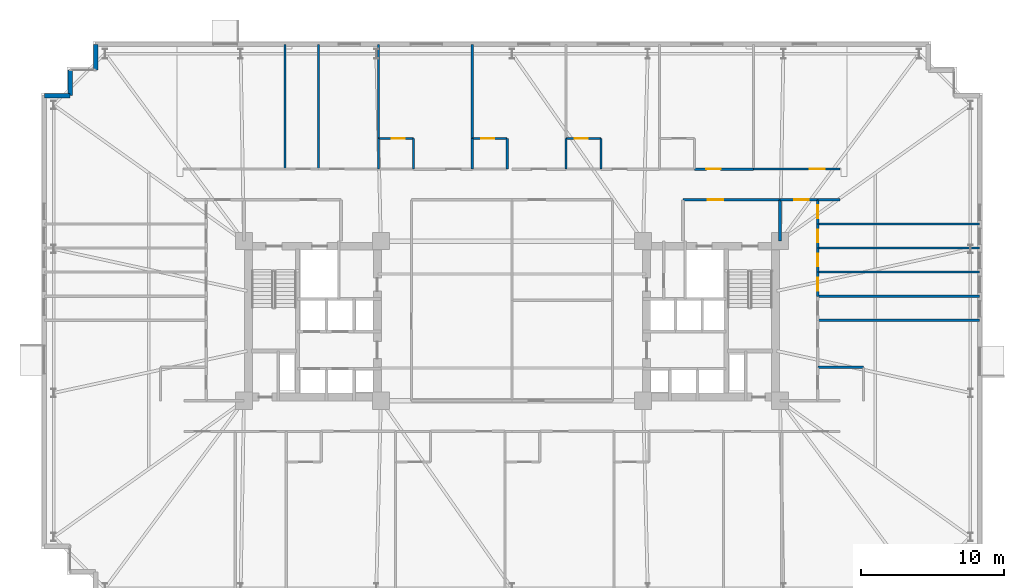
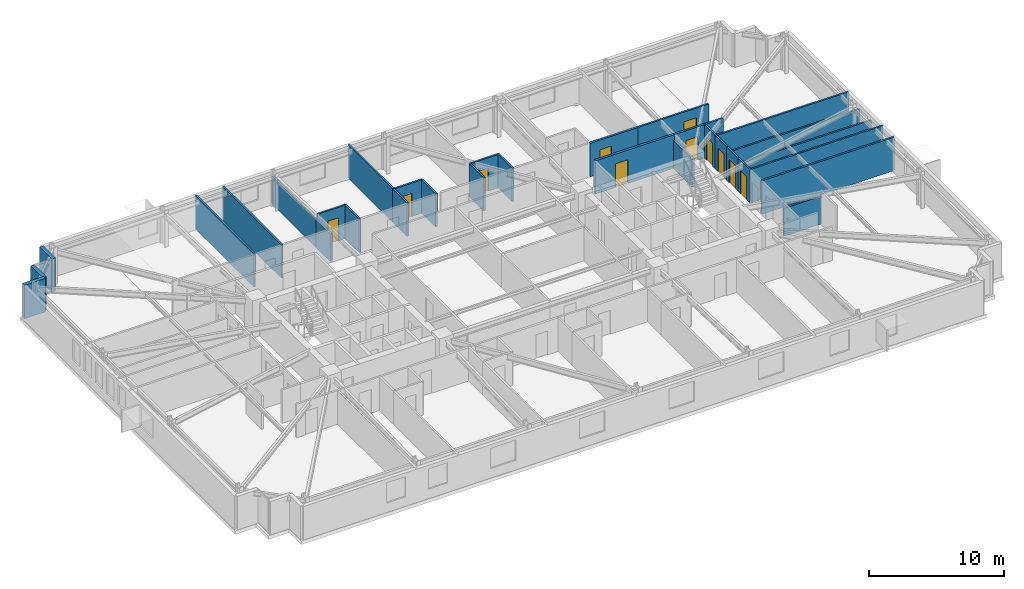
# One storey, part 18 of 22: 32 walls, 11 doors, 11 openings.
"""IFC4 building model written with IfcOpenShell, lengths in metres."""

from ifc_helpers import new_model, si_unit, direction, frame, frame_2d, origin, place, context, subcontext, project, spatial, rectangle, extrude, material, layer, layer_set, type_object, element, fill, save


model = new_model("IFC4")

# Units and contexts
model_context = context("Model", 3, precision=1e-05, world=origin(), true_north=direction((0.0, 1.0)))
body_context = subcontext(model_context, "Body", "Model", "MODEL_VIEW")
ifc_project = project(units=[si_unit("LENGTHUNIT", "METRE"), si_unit("AREAUNIT", "SQUARE_METRE"), si_unit("VOLUMEUNIT", "CUBIC_METRE"), si_unit("PLANEANGLEUNIT", "RADIAN"), si_unit("MASSUNIT", "GRAM", prefix="KILO")], contexts=[model_context])

# Site, building, storey
site_placement = place(None, origin())
site = spatial("IfcSite", under=ifc_project, at=site_placement, CompositionType="ELEMENT")
building_placement = place(site_placement, origin())
building = spatial("IfcBuilding", under=site, at=building_placement, Name="Qobustan Lattice House", CompositionType="ELEMENT")
storey_placement = place(building_placement, frame((0.0, 0.0, 33.699951171875)))
storey = spatial("IfcBuildingStorey", under=building, at=storey_placement, Name="L08", CompositionType="ELEMENT", Elevation=33.699951171875)

# Walls
ifc_material_1 = material(Name="Precast concrete C40/50", Category="concrete")
ifc_layer_1 = layer(ifc_material_1, 0.320068359375)
ifc_layer_set_1 = layer_set([ifc_layer_1], Name="Precast concrete C40/50")
wall_type_1 = type_object("IfcWallType", Name="WAL-EXT-STONE-320", PredefinedType="SOLIDWALL", material=ifc_layer_set_1)
for number, where, z_axis, x_axis, name in (
    (1, (-32.800048828125, 15.800048828125, 0.0), (0.0, 0.0, 1.0), (1.0, 0.0, 0.0), "L08 exterior limestone-clad wall 6"),
    (2, (-31.0, 15.800048828125, 0.0), (0.0, 0.0, 1.0), (0.0, 1.0, 0.0), "L08 exterior limestone-clad wall 7"),
):
    element("IfcWall", number, at=place(storey_placement, frame(where, z_axis=z_axis, x_axis=x_axis)), inside=storey, type_object=wall_type_1, Name=name, PredefinedType="SOLIDWALL", context=body_context, shape_type="SweptSolid", body=[
        extrude(rectangle(XDim=1.800048828125, YDim=0.320068359375, at=frame_2d((0.89990234375, 0.0))), origin(), (0.0, 0.0, 1.0), 3.03515625),
    ])
wall_1_placement = place(storey_placement, frame((-29.199951171875, 17.60009765625, 0.0), z_axis=(0.0, 0.0, 1.0), x_axis=(0.0, 1.0, 0.0)))
element("IfcWall", 3, at=wall_1_placement, inside=storey, type_object=wall_type_1, Name="L08 exterior limestone-clad wall 9", PredefinedType="SOLIDWALL", context=body_context, shape_type="SweptSolid", body=[
    extrude(rectangle(XDim=1.7998046875, YDim=0.320068359375, at=frame_2d((0.89990234375, 0.0))), origin(), (0.0, 0.0, 1.0), 3.03515625),
])

# Wall, opening, door
ifc_material_2 = material(Name="Gypsum fireboard acoustic partition", Category="gypsum")
ifc_layer_2 = layer(ifc_material_2, 0.179931640625)
ifc_layer_set_2 = layer_set([ifc_layer_2], Name="Gypsum fireboard acoustic partition")
wall_type_2 = type_object("IfcWallType", Name="WAL-FIRE-180", PredefinedType="PARTITIONING", material=ifc_layer_set_2)
wall_2_placement = place(storey_placement, frame((21.449951171875, 8.5, 0.0), z_axis=(0.0, 0.0, 1.0), x_axis=(-1.0, 0.0, 0.0)))
wall_2 = element("IfcWall", 4, at=wall_2_placement, inside=storey, type_object=wall_type_2, Name="L08 interior partition 45", PredefinedType="PARTITIONING", context=body_context, shape_type="SweptSolid", body=[
    extrude(rectangle(XDim=2.64990234375, YDim=0.179931640625, at=frame_2d((1.324951171875, 0.0))), origin(), (0.0, 0.0, 1.0), 3.03515625),
])
opening_1_placement = place(wall_2_placement, frame((0.64111328125, 0.0, 0.0)))
opening_1 = element("IfcOpeningElement", 5, at=opening_1_placement, cuts=wall_2, Name="Opening FD-02", PredefinedType="OPENING", context=body_context, shape_type="SweptSolid", body=[
    extrude(rectangle(XDim=1.0, YDim=2.14990234375, at=frame_2d((0.5, 1.074951171875))), frame((0.0, 0.099853515625, 0.0), z_axis=(0.0, -1.0, 0.0), x_axis=(1.0, 0.0, 0.0)), (0.0, 0.0, 1.0), 0.199951171875),
])
ifc_material_3 = material(Name="Persian walnut timber and steel frame door", Category="steel")
door_type_1 = type_object("IfcDoorType", Name="DOR-UNIT-FD-1000x2150", OperationType="NOTDEFINED", PredefinedType="DOOR", material=ifc_material_3)
door_1_placement = place(opening_1_placement, origin())
door_1 = element("IfcDoor", 6, at=door_1_placement, inside=storey, type_object=door_type_1, Name="L08 North-east floor corridor to Residence entrance hall L08E door", OperationType="SINGLE_SWING_LEFT", OverallHeight=2.14990234375, OverallWidth=1.0, PredefinedType="DOOR", context=body_context, shape_type="SweptSolid", body=[
    extrude(rectangle(XDim=1.0, YDim=2.14990234375, at=frame_2d((0.5, 1.074951171875))), frame((0.0, 0.02490234375, 0.0), z_axis=(0.0, -1.0, 0.0), x_axis=(1.0, 0.0, 0.0)), (0.0, 0.0, 1.0), 0.050048828125),
])
fill(opening_1, door_1)

wall_3_placement = place(storey_placement, frame((12.806884765625, 10.64990234375, 0.0), z_axis=(0.0, 0.0, 1.0), x_axis=(1.0, 0.0, 0.0)))
wall_3 = element("IfcWall", 7, at=wall_3_placement, inside=storey, type_object=wall_type_2, Name="L08 interior partition 50", PredefinedType="PARTITIONING", context=body_context, shape_type="SweptSolid", body=[
    extrude(rectangle(XDim=4.1220703125, YDim=0.179931640625, at=frame_2d((2.06103515625, 0.0))), origin(), (0.0, 0.0, 1.0), 3.03515625),
])
opening_2_placement = place(wall_3_placement, frame((0.8251953125, 0.0, 0.0)))
opening_2 = element("IfcOpeningElement", 8, at=opening_2_placement, cuts=wall_3, Name="Opening FD-02", PredefinedType="OPENING", context=body_context, shape_type="SweptSolid", body=[
    extrude(rectangle(XDim=1.0, YDim=2.14990234375, at=frame_2d((0.5, 1.074951171875))), frame((0.0, 0.099853515625, 0.0), z_axis=(0.0, -1.0, 0.0), x_axis=(1.0, 0.0, 0.0)), (0.0, 0.0, 1.0), 0.199951171875),
])
door_2_placement = place(opening_2_placement, origin())
door_2 = element("IfcDoor", 9, at=door_2_placement, inside=storey, type_object=door_type_1, Name="L08 North-east floor corridor to Kitchenette and studio apartment L08-N6 door", OperationType="SINGLE_SWING_RIGHT", OverallHeight=2.14990234375, OverallWidth=1.0, PredefinedType="DOOR", context=body_context, shape_type="SweptSolid", body=[
    extrude(rectangle(XDim=1.0, YDim=2.14990234375, at=frame_2d((0.5, 1.074951171875))), frame((0.0, 0.02490234375, 0.0), z_axis=(0.0, -1.0, 0.0), x_axis=(1.0, 0.0, 0.0)), (0.0, 0.0, 1.0), 0.050048828125),
])
fill(opening_2, door_2)

# Wall
ifc_material_4 = material(Name="Acoustic twin-stud gypsum partition", Category="gypsum")
ifc_layer_3 = layer(ifc_material_4, 0.14990234375)
ifc_layer_set_3 = layer_set([ifc_layer_3], Name="Acoustic twin-stud gypsum partition")
wall_type_3 = type_object("IfcWallType", Name="WAL-PART-150", PredefinedType="PARTITIONING", material=ifc_layer_set_3)
wall_4_placement = place(storey_placement, frame((23.0, 8.5, 0.0), z_axis=(0.0, 0.0, 1.0), x_axis=(-1.0, 0.0, 0.0)))
element("IfcWall", 10, at=wall_4_placement, inside=storey, type_object=wall_type_3, Name="L08 interior partition 46", PredefinedType="PARTITIONING", context=body_context, shape_type="SweptSolid", body=[
    extrude(rectangle(XDim=1.550048828125, YDim=0.14990234375, at=frame_2d((0.77490234375, 0.0))), origin(), (0.0, 0.0, 1.0), 3.03515625),
])

# Wall, opening, door
wall_5_placement = place(storey_placement, frame((16.928955078125, 10.64990234375, 0.0), z_axis=(0.0, 0.0, 1.0), x_axis=(1.0, 0.0, 0.0)))
wall_5 = element("IfcWall", 11, at=wall_5_placement, inside=storey, type_object=wall_type_3, Name="L08 interior partition 52", PredefinedType="PARTITIONING", context=body_context, shape_type="SweptSolid", body=[
    extrude(rectangle(XDim=6.071044921875, YDim=0.14990234375, at=frame_2d((3.03564453125, 0.0))), origin(), (0.0, 0.0, 1.0), 3.03515625),
])
opening_3_placement = place(wall_5_placement, frame((3.95849609375, 0.0, 0.0)))
opening_3 = element("IfcOpeningElement", 12, at=opening_3_placement, cuts=wall_5, Name="Opening ID-02", PredefinedType="OPENING", context=body_context, shape_type="SweptSolid", body=[
    extrude(rectangle(XDim=1.050048828125, YDim=2.14990234375, at=frame_2d((0.52490234375, 1.074951171875))), frame((0.0, 0.0849609375, 0.0), z_axis=(0.0, -1.0, 0.0), x_axis=(1.0, 0.0, 0.0)), (0.0, 0.0, 1.0), 0.169921875),
])
ifc_material_5 = material(Name="Persian walnut timber and steel frame door", Category="steel")
door_type_2 = type_object("IfcDoorType", Name="DOR-STUDY-1050x2150", OperationType="NOTDEFINED", PredefinedType="DOOR", material=ifc_material_5)
door_3_placement = place(opening_3_placement, origin())
door_3 = element("IfcDoor", 13, at=door_3_placement, inside=storey, type_object=door_type_2, Name="L08 North-east floor corridor to Focus study room N7 door", OperationType="SINGLE_SWING_LEFT", OverallHeight=2.14990234375, OverallWidth=1.050048828125, PredefinedType="DOOR", context=body_context, shape_type="SweptSolid", body=[
    extrude(rectangle(XDim=1.050048828125, YDim=2.14990234375, at=frame_2d((0.52490234375, 1.074951171875))), frame((0.0, 0.02490234375, 0.0), z_axis=(0.0, -1.0, 0.0), x_axis=(1.0, 0.0, 0.0)), (0.0, 0.0, 1.0), 0.050048828125),
])
fill(opening_3, door_3)

wall_6_placement = place(storey_placement, frame((21.449951171875, 3.424072265625, 0.0), z_axis=(0.0, 0.0, 1.0), x_axis=(0.0, -1.0, 0.0)))
wall_6 = element("IfcWall", 14, at=wall_6_placement, inside=storey, type_object=wall_type_3, Name="L08 interior partition 93", PredefinedType="PARTITIONING", context=body_context, shape_type="SweptSolid", body=[
    extrude(rectangle(XDim=1.692138671875, YDim=0.14990234375, at=frame_2d((0.84619140625, 0.0))), origin(), (0.0, 0.0, 1.0), 3.03515625),
])
opening_4_placement = place(wall_6_placement, frame((0.39599609375, 0.0, 0.0)))
opening_4 = element("IfcOpeningElement", 15, at=opening_4_placement, cuts=wall_6, Name="Opening WD-01", PredefinedType="OPENING", context=body_context, shape_type="SweptSolid", body=[
    extrude(rectangle(XDim=0.89990234375, YDim=2.10009765625, at=frame_2d((0.449951171875, 1.050048828125))), frame((0.0, 0.0849609375, 0.0), z_axis=(0.0, -1.0, 0.0), x_axis=(1.0, 0.0, 0.0)), (0.0, 0.0, 1.0), 0.169921875),
])
ifc_material_6 = material(Name="Persian walnut timber and steel frame door", Category="steel")
door_type_3 = type_object("IfcDoorType", Name="DOR-WET-900x2100", OperationType="NOTDEFINED", PredefinedType="DOOR", material=ifc_material_6)
door_4_placement = place(opening_4_placement, origin())
door_4 = element("IfcDoor", 16, at=door_4_placement, inside=storey, type_object=door_type_3, Name="L08 Residence entrance hall L08E to Cluster bedroom L08E2 door", OperationType="SINGLE_SWING_LEFT", OverallHeight=2.10009765625, OverallWidth=0.89990234375, PredefinedType="DOOR", context=body_context, shape_type="SweptSolid", body=[
    extrude(rectangle(XDim=0.89990234375, YDim=2.10009765625, at=frame_2d((0.449951171875, 1.050048828125))), frame((0.0, 0.02490234375, 0.0), z_axis=(0.0, -1.0, 0.0), x_axis=(1.0, 0.0, 0.0)), (0.0, 0.0, 1.0), 0.050048828125),
])
fill(opening_4, door_4)

wall_7_placement = place(storey_placement, frame((21.449951171875, 5.115966796875, 0.0), z_axis=(0.0, 0.0, 1.0), x_axis=(0.0, -1.0, 0.0)))
wall_7 = element("IfcWall", 17, at=wall_7_placement, inside=storey, type_object=wall_type_3, Name="L08 interior partition 94", PredefinedType="PARTITIONING", context=body_context, shape_type="SweptSolid", body=[
    extrude(rectangle(XDim=1.69189453125, YDim=0.14990234375, at=frame_2d((0.845947265625, 0.0))), origin(), (0.0, 0.0, 1.0), 3.03515625),
])
opening_5_placement = place(wall_7_placement, frame((0.39599609375, 0.0, 0.0)))
opening_5 = element("IfcOpeningElement", 18, at=opening_5_placement, cuts=wall_7, Name="Opening WD-01", PredefinedType="OPENING", context=body_context, shape_type="SweptSolid", body=[
    extrude(rectangle(XDim=0.89990234375, YDim=2.10009765625, at=frame_2d((0.449951171875, 1.050048828125))), frame((0.0, 0.0849609375, 0.0), z_axis=(0.0, -1.0, 0.0), x_axis=(1.0, 0.0, 0.0)), (0.0, 0.0, 1.0), 0.169921875),
])
door_5_placement = place(opening_5_placement, origin())
door_5 = element("IfcDoor", 19, at=door_5_placement, inside=storey, type_object=door_type_3, Name="L08 Residence entrance hall L08E to Cluster bedroom L08E3 door", OperationType="SINGLE_SWING_RIGHT", OverallHeight=2.10009765625, OverallWidth=0.89990234375, PredefinedType="DOOR", context=body_context, shape_type="SweptSolid", body=[
    extrude(rectangle(XDim=0.89990234375, YDim=2.10009765625, at=frame_2d((0.449951171875, 1.050048828125))), frame((0.0, 0.02490234375, 0.0), z_axis=(0.0, -1.0, 0.0), x_axis=(1.0, 0.0, 0.0)), (0.0, 0.0, 1.0), 0.050048828125),
])
fill(opening_5, door_5)

wall_8_placement = place(storey_placement, frame((21.449951171875, 6.80810546875, 0.0), z_axis=(0.0, 0.0, 1.0), x_axis=(0.0, -1.0, 0.0)))
wall_8 = element("IfcWall", 20, at=wall_8_placement, inside=storey, type_object=wall_type_3, Name="L08 interior partition 95", PredefinedType="PARTITIONING", context=body_context, shape_type="SweptSolid", body=[
    extrude(rectangle(XDim=1.692138671875, YDim=0.14990234375, at=frame_2d((0.84619140625, 0.0))), origin(), (0.0, 0.0, 1.0), 3.03515625),
])
opening_6_placement = place(wall_8_placement, frame((0.39599609375, 0.0, 0.0)))
opening_6 = element("IfcOpeningElement", 21, at=opening_6_placement, cuts=wall_8, Name="Opening WD-01", PredefinedType="OPENING", context=body_context, shape_type="SweptSolid", body=[
    extrude(rectangle(XDim=0.89990234375, YDim=2.10009765625, at=frame_2d((0.449951171875, 1.050048828125))), frame((0.0, 0.0849609375, 0.0), z_axis=(0.0, -1.0, 0.0), x_axis=(1.0, 0.0, 0.0)), (0.0, 0.0, 1.0), 0.169921875),
])
door_6_placement = place(opening_6_placement, origin())
door_6 = element("IfcDoor", 22, at=door_6_placement, inside=storey, type_object=door_type_3, Name="L08 Residence entrance hall L08E to Cluster bedroom L08E4 door", OperationType="SINGLE_SWING_LEFT", OverallHeight=2.10009765625, OverallWidth=0.89990234375, PredefinedType="DOOR", context=body_context, shape_type="SweptSolid", body=[
    extrude(rectangle(XDim=0.89990234375, YDim=2.10009765625, at=frame_2d((0.449951171875, 1.050048828125))), frame((0.0, 0.02490234375, 0.0), z_axis=(0.0, -1.0, 0.0), x_axis=(1.0, 0.0, 0.0)), (0.0, 0.0, 1.0), 0.050048828125),
])
fill(opening_6, door_6)

wall_9_placement = place(storey_placement, frame((21.449951171875, 8.5, 0.0), z_axis=(0.0, 0.0, 1.0), x_axis=(0.0, -1.0, 0.0)))
wall_9 = element("IfcWall", 23, at=wall_9_placement, inside=storey, type_object=wall_type_3, Name="L08 interior partition 96", PredefinedType="PARTITIONING", context=body_context, shape_type="SweptSolid", body=[
    extrude(rectangle(XDim=1.69189453125, YDim=0.14990234375, at=frame_2d((0.845947265625, 0.0))), origin(), (0.0, 0.0, 1.0), 3.03515625),
])
opening_7_placement = place(wall_9_placement, frame((0.39599609375, 0.0, 0.0)))
opening_7 = element("IfcOpeningElement", 24, at=opening_7_placement, cuts=wall_9, Name="Opening WD-01", PredefinedType="OPENING", context=body_context, shape_type="SweptSolid", body=[
    extrude(rectangle(XDim=0.89990234375, YDim=2.10009765625, at=frame_2d((0.449951171875, 1.050048828125))), frame((0.0, 0.0849609375, 0.0), z_axis=(0.0, -1.0, 0.0), x_axis=(1.0, 0.0, 0.0)), (0.0, 0.0, 1.0), 0.169921875),
])
door_7_placement = place(opening_7_placement, origin())
door_7 = element("IfcDoor", 25, at=door_7_placement, inside=storey, type_object=door_type_3, Name="L08 Residence entrance hall L08E to Cluster bedroom L08E5 door", OperationType="SINGLE_SWING_RIGHT", OverallHeight=2.10009765625, OverallWidth=0.89990234375, PredefinedType="DOOR", context=body_context, shape_type="SweptSolid", body=[
    extrude(rectangle(XDim=0.89990234375, YDim=2.10009765625, at=frame_2d((0.449951171875, 1.050048828125))), frame((0.0, 0.02490234375, 0.0), z_axis=(0.0, -1.0, 0.0), x_axis=(1.0, 0.0, 0.0)), (0.0, 0.0, 1.0), 0.050048828125),
])
fill(opening_7, door_7)

# Walls
wall_10_placement = place(storey_placement, frame((21.449951171875, 1.73193359375, 0.0), z_axis=(0.0, 0.0, 1.0), x_axis=(1.0, 0.0, 0.0)))
element("IfcWall", 26, at=wall_10_placement, inside=storey, type_object=wall_type_3, Name="L08 interior partition 100", PredefinedType="PARTITIONING", context=body_context, shape_type="SweptSolid", body=[
    extrude(rectangle(XDim=11.35009765625, YDim=0.14990234375, at=frame_2d((5.675048828125, 0.0))), origin(), (0.0, 0.0, 1.0), 3.03515625),
])
for number, where, z_axis, x_axis, name in (
    (27, (21.449951171875, 3.424072265625, 0.0), (0.0, 0.0, 1.0), (1.0, 0.0, 0.0), "L08 interior partition 101"),
    (28, (21.449951171875, 5.115966796875, 0.0), (0.0, 0.0, 1.0), (1.0, 0.0, 0.0), "L08 interior partition 102"),
):
    element("IfcWall", number, at=place(storey_placement, frame(where, z_axis=z_axis, x_axis=x_axis)), inside=storey, type_object=wall_type_3, Name=name, PredefinedType="PARTITIONING", context=body_context, shape_type="SweptSolid", body=[
        extrude(rectangle(XDim=11.35009765625, YDim=0.14990234375, at=frame_2d((5.675048828125, 0.0))), origin(), (0.0, 0.0, 1.0), 2.52001953125),
    ])
wall_11_placement = place(storey_placement, frame((21.449951171875, 6.80810546875, 0.0), z_axis=(0.0, 0.0, 1.0), x_axis=(1.0, 0.0, 0.0)))
element("IfcWall", 29, at=wall_11_placement, inside=storey, type_object=wall_type_3, Name="L08 interior partition 103", PredefinedType="PARTITIONING", context=body_context, shape_type="SweptSolid", body=[
    extrude(rectangle(XDim=11.35009765625, YDim=0.14990234375, at=frame_2d((5.675048828125, 0.0))), origin(), (0.0, 0.0, 1.0), 3.03515625),
])
wall_12_placement = place(storey_placement, frame((-9.35693359375, 19.39990234375, 0.0), z_axis=(0.0, 0.0, 1.0), x_axis=(0.0, -1.0, 0.0)))
element("IfcWall", 30, at=wall_12_placement, inside=storey, type_object=wall_type_3, Name="L08 interior partition 106", PredefinedType="PARTITIONING", context=body_context, shape_type="SweptSolid", body=[
    extrude(rectangle(XDim=6.599853515625, YDim=0.14990234375, at=frame_2d((3.2998046875, 0.0))), origin(), (0.0, 0.0, 1.0), 2.52001953125),
])
wall_13_placement = place(storey_placement, frame((-2.785888671875, 19.39990234375, 0.0), z_axis=(0.0, 0.0, 1.0), x_axis=(0.0, -1.0, 0.0)))
element("IfcWall", 31, at=wall_13_placement, inside=storey, type_object=wall_type_3, Name="L08 interior partition 110", PredefinedType="PARTITIONING", context=body_context, shape_type="SweptSolid", body=[
    extrude(rectangle(XDim=6.599853515625, YDim=0.14990234375, at=frame_2d((3.2998046875, 0.0))), origin(), (0.0, 0.0, 1.0), 3.03515625),
])
ifc_material_7 = material(Name="High-mass acoustic twin-stud partition", Category="gypsum")
ifc_layer_4 = layer(ifc_material_7, 0.1650390625)
ifc_layer_set_4 = layer_set([ifc_layer_4], Name="High-mass acoustic twin-stud partition")
wall_type_4 = type_object("IfcWallType", Name="WAL-PART-165", PredefinedType="PARTITIONING", material=ifc_layer_set_4)
wall_14_placement = place(storey_placement, frame((21.449951171875, 0.0400390625, 0.0), z_axis=(0.0, 0.0, 1.0), x_axis=(1.0, 0.0, 0.0)))
element("IfcWall", 32, at=wall_14_placement, inside=storey, type_object=wall_type_4, Name="L08 interior partition 99", PredefinedType="PARTITIONING", context=body_context, shape_type="SweptSolid", body=[
    extrude(rectangle(XDim=11.35009765625, YDim=0.1650390625, at=frame_2d((5.675048828125, 0.0))), origin(), (0.0, 0.0, 1.0), 3.03515625),
])

# Wall, opening, door
ifc_material_8 = material(Name="Two-hour gypsum fireboard acoustic partition", Category="gypsum")
ifc_layer_5 = layer(ifc_material_8, 0.199951171875)
ifc_layer_set_5 = layer_set([ifc_layer_5], Name="Two-hour gypsum fireboard acoustic partition")
wall_type_5 = type_object("IfcWallType", Name="WAL-PROT-200", PredefinedType="PARTITIONING", material=ifc_layer_set_5)
wall_15_placement = place(storey_placement, frame((18.800048828125, 8.5, 0.0), z_axis=(0.0, 0.0, 1.0), x_axis=(-1.0, 0.0, 0.0)))
wall_15 = element("IfcWall", 33, at=wall_15_placement, inside=storey, type_object=wall_type_5, Name="L08 interior partition 20", PredefinedType="PARTITIONING", context=body_context, shape_type="SweptSolid", body=[
    extrude(rectangle(XDim=6.800048828125, YDim=0.199951171875, at=frame_2d((3.39990234375, 0.0))), origin(), (0.0, 0.0, 1.0), 3.03515625),
])
opening_8_placement = place(wall_15_placement, frame((3.985107421875, 0.0, 0.0)))
opening_8 = element("IfcOpeningElement", 34, at=opening_8_placement, cuts=wall_15, Name="Opening SD-01", PredefinedType="OPENING", context=body_context, shape_type="SweptSolid", body=[
    extrude(rectangle(XDim=1.10009765625, YDim=2.14990234375, at=frame_2d((0.550048828125, 1.074951171875))), frame((0.0, 0.10986328125, 0.0), z_axis=(0.0, -1.0, 0.0), x_axis=(1.0, 0.0, 0.0)), (0.0, 0.0, 1.0), 0.219970703125),
])
ifc_material_9 = material(Name="Persian walnut timber and steel frame door", Category="steel")
door_type_4 = type_object("IfcDoorType", Name="DOR-STAIR-FD-1100x2150", OperationType="NOTDEFINED", PredefinedType="DOOR", material=ifc_material_9)
door_8_placement = place(opening_8_placement, origin())
door_8 = element("IfcDoor", 35, at=door_8_placement, inside=storey, type_object=door_type_4, Name="L08 East firefighting lift lobby to North-east floor corridor door", OperationType="SINGLE_SWING_RIGHT", OverallHeight=2.14990234375, OverallWidth=1.10009765625, PredefinedType="DOOR", context=body_context, shape_type="SweptSolid", body=[
    extrude(rectangle(XDim=1.10009765625, YDim=2.14990234375, at=frame_2d((0.550048828125, 1.074951171875))), frame((0.0, 0.02490234375, 0.0), z_axis=(0.0, -1.0, 0.0), x_axis=(1.0, 0.0, 0.0)), (0.0, 0.0, 1.0), 0.050048828125),
])
fill(opening_8, door_8)

# Walls
wall_16_placement = place(storey_placement, frame((18.800048828125, 5.60009765625, 0.0), z_axis=(0.0, 0.0, 1.0), x_axis=(0.0, 1.0, 0.0)))
element("IfcWall", 36, at=wall_16_placement, inside=storey, type_object=wall_type_5, Name="L08 interior partition 22", PredefinedType="PARTITIONING", context=body_context, shape_type="SweptSolid", body=[
    extrude(rectangle(XDim=2.89990234375, YDim=0.199951171875, at=frame_2d((1.449951171875, 0.0))), origin(), (0.0, 0.0, 1.0), 2.52001953125),
])
ifc_material_10 = material(Name="Moisture-resistant acoustic plumbing wall", Category="gypsum")
ifc_layer_6 = layer(ifc_material_10, 0.14990234375)
ifc_layer_set_6 = layer_set([ifc_layer_6], Name="Moisture-resistant acoustic plumbing wall")
wall_type_6 = type_object("IfcWallType", Name="WAL-WET-150", PredefinedType="PLUMBINGWALL", material=ifc_layer_set_6)
wall_17_placement = place(storey_placement, frame((21.449951171875, -3.25, 0.0), z_axis=(0.0, 0.0, 1.0), x_axis=(1.0, 0.0, 0.0)))
element("IfcWall", 37, at=wall_17_placement, inside=storey, type_object=wall_type_6, Name="L08 interior partition 97", PredefinedType="PLUMBINGWALL", context=body_context, shape_type="SweptSolid", body=[
    extrude(rectangle(XDim=3.199951171875, YDim=0.14990234375, at=frame_2d((1.60009765625, 0.0))), origin(), (0.0, 0.0, 1.0), 2.52001953125),
])
for number, where, z_axis, x_axis, name in (
    (38, (-15.928955078125, 19.39990234375, 0.0), (0.0, 0.0, 1.0), (0.0, -1.0, 0.0), "L08 interior partition 104"),
    (39, (-13.5791015625, 19.39990234375, 0.0), (0.0, 0.0, 1.0), (0.0, -1.0, 0.0), "L08 interior partition 105"),
):
    element("IfcWall", number, at=place(storey_placement, frame(where, z_axis=z_axis, x_axis=x_axis)), inside=storey, type_object=wall_type_6, Name=name, PredefinedType="PLUMBINGWALL", context=body_context, shape_type="SweptSolid", body=[
        extrude(rectangle(XDim=8.75, YDim=0.14990234375, at=frame_2d((4.375, 0.0))), origin(), (0.0, 0.0, 1.0), 3.03515625),
    ])
wall_18_placement = place(storey_placement, frame((-9.35693359375, 12.800048828125, 0.0), z_axis=(0.0, 0.0, 1.0), x_axis=(0.0, -1.0, 0.0)))
element("IfcWall", 40, at=wall_18_placement, inside=storey, type_object=wall_type_6, Name="L08 interior partition 107", PredefinedType="PLUMBINGWALL", context=body_context, shape_type="SweptSolid", body=[
    extrude(rectangle(XDim=2.150146484375, YDim=0.14990234375, at=frame_2d((1.0751953125, 0.0))), origin(), (0.0, 0.0, 1.0), 2.52001953125),
])

# Wall, opening, door
wall_19_placement = place(storey_placement, frame((-6.906982421875, 12.800048828125, 0.0), z_axis=(0.0, 0.0, 1.0), x_axis=(-1.0, 0.0, 0.0)))
wall_19 = element("IfcWall", 41, at=wall_19_placement, inside=storey, type_object=wall_type_6, Name="L08 interior partition 108", PredefinedType="PLUMBINGWALL", context=body_context, shape_type="SweptSolid", body=[
    extrude(rectangle(XDim=2.449951171875, YDim=0.14990234375, at=frame_2d((1.22509765625, 0.0))), origin(), (0.0, 0.0, 1.0), 3.03515625),
])
opening_9_placement = place(wall_19_placement, frame((0.628662109375, 0.0, 0.0)))
opening_9 = element("IfcOpeningElement", 42, at=opening_9_placement, cuts=wall_19, Name="Opening WD-01", PredefinedType="OPENING", context=body_context, shape_type="SweptSolid", body=[
    extrude(rectangle(XDim=0.89990234375, YDim=2.10009765625, at=frame_2d((0.449951171875, 1.050048828125))), frame((0.0, 0.0849609375, 0.0), z_axis=(0.0, -1.0, 0.0), x_axis=(1.0, 0.0, 0.0)), (0.0, 0.0, 1.0), 0.169921875),
])
door_9_placement = place(opening_9_placement, origin())
door_9 = element("IfcDoor", 43, at=door_9_placement, inside=storey, type_object=door_type_3, Name="L08 Kitchenette and studio apartment L08-N3 to En-suite bathroom L08-N3 door", OperationType="SINGLE_SWING_LEFT", OverallHeight=2.10009765625, OverallWidth=0.89990234375, PredefinedType="DOOR", context=body_context, shape_type="SweptSolid", body=[
    extrude(rectangle(XDim=0.89990234375, YDim=2.10009765625, at=frame_2d((0.449951171875, 1.050048828125))), frame((0.0, 0.02490234375, 0.0), z_axis=(0.0, -1.0, 0.0), x_axis=(1.0, 0.0, 0.0)), (0.0, 0.0, 1.0), 0.050048828125),
])
fill(opening_9, door_9)

# Walls
for number, where, z_axis, x_axis, name in (
    (44, (-6.906982421875, 10.64990234375, 0.0), (0.0, 0.0, 1.0), (0.0, 1.0, 0.0), "L08 interior partition 109"),
    (45, (-2.785888671875, 12.800048828125, 0.0), (0.0, 0.0, 1.0), (0.0, -1.0, 0.0), "L08 interior partition 111"),
):
    element("IfcWall", number, at=place(storey_placement, frame(where, z_axis=z_axis, x_axis=x_axis)), inside=storey, type_object=wall_type_6, Name=name, PredefinedType="PLUMBINGWALL", context=body_context, shape_type="SweptSolid", body=[
        extrude(rectangle(XDim=2.150146484375, YDim=0.14990234375, at=frame_2d((1.0751953125, 0.0))), origin(), (0.0, 0.0, 1.0), 3.03515625),
    ])

# Wall, opening, door
wall_20_placement = place(storey_placement, frame((-0.3359375, 12.800048828125, 0.0), z_axis=(0.0, 0.0, 1.0), x_axis=(-1.0, 0.0, 0.0)))
wall_20 = element("IfcWall", 46, at=wall_20_placement, inside=storey, type_object=wall_type_6, Name="L08 interior partition 112", PredefinedType="PLUMBINGWALL", context=body_context, shape_type="SweptSolid", body=[
    extrude(rectangle(XDim=2.449951171875, YDim=0.14990234375, at=frame_2d((1.22509765625, 0.0))), origin(), (0.0, 0.0, 1.0), 3.03515625),
])
opening_10_placement = place(wall_20_placement, frame((0.92138671875, 0.0, 0.0)))
opening_10 = element("IfcOpeningElement", 47, at=opening_10_placement, cuts=wall_20, Name="Opening WD-01", PredefinedType="OPENING", context=body_context, shape_type="SweptSolid", body=[
    extrude(rectangle(XDim=0.89990234375, YDim=2.10009765625, at=frame_2d((0.449951171875, 1.050048828125))), frame((0.0, 0.0849609375, 0.0), z_axis=(0.0, -1.0, 0.0), x_axis=(1.0, 0.0, 0.0)), (0.0, 0.0, 1.0), 0.169921875),
])
door_10_placement = place(opening_10_placement, origin())
door_10 = element("IfcDoor", 48, at=door_10_placement, inside=storey, type_object=door_type_3, Name="L08 Kitchenette and studio apartment L08-N4 to En-suite bathroom L08-N4 door", OperationType="SINGLE_SWING_RIGHT", OverallHeight=2.10009765625, OverallWidth=0.89990234375, PredefinedType="DOOR", context=body_context, shape_type="SweptSolid", body=[
    extrude(rectangle(XDim=0.89990234375, YDim=2.10009765625, at=frame_2d((0.449951171875, 1.050048828125))), frame((0.0, 0.02490234375, 0.0), z_axis=(0.0, -1.0, 0.0), x_axis=(1.0, 0.0, 0.0)), (0.0, 0.0, 1.0), 0.050048828125),
])
fill(opening_10, door_10)

# Walls
for number, where, z_axis, x_axis, name in (
    (49, (-0.3359375, 10.64990234375, 0.0), (0.0, 0.0, 1.0), (0.0, 1.0, 0.0), "L08 interior partition 113"),
    (50, (3.785888671875, 12.800048828125, 0.0), (0.0, 0.0, 1.0), (0.0, -1.0, 0.0), "L08 interior partition 115"),
):
    element("IfcWall", number, at=place(storey_placement, frame(where, z_axis=z_axis, x_axis=x_axis)), inside=storey, type_object=wall_type_6, Name=name, PredefinedType="PLUMBINGWALL", context=body_context, shape_type="SweptSolid", body=[
        extrude(rectangle(XDim=2.150146484375, YDim=0.14990234375, at=frame_2d((1.0751953125, 0.0))), origin(), (0.0, 0.0, 1.0), 3.03515625),
    ])

# Wall, opening, door
wall_21_placement = place(storey_placement, frame((6.236083984375, 12.800048828125, 0.0), z_axis=(0.0, 0.0, 1.0), x_axis=(-1.0, 0.0, 0.0)))
wall_21 = element("IfcWall", 51, at=wall_21_placement, inside=storey, type_object=wall_type_6, Name="L08 interior partition 116", PredefinedType="PLUMBINGWALL", context=body_context, shape_type="SweptSolid", body=[
    extrude(rectangle(XDim=2.4501953125, YDim=0.14990234375, at=frame_2d((1.22509765625, 0.0))), origin(), (0.0, 0.0, 1.0), 3.03515625),
])
opening_11_placement = place(wall_21_placement, frame((0.921142578125, 0.0, 0.0)))
opening_11 = element("IfcOpeningElement", 52, at=opening_11_placement, cuts=wall_21, Name="Opening WD-01", PredefinedType="OPENING", context=body_context, shape_type="SweptSolid", body=[
    extrude(rectangle(XDim=0.89990234375, YDim=2.10009765625, at=frame_2d((0.449951171875, 1.050048828125))), frame((0.0, 0.0849609375, 0.0), z_axis=(0.0, -1.0, 0.0), x_axis=(1.0, 0.0, 0.0)), (0.0, 0.0, 1.0), 0.169921875),
])
door_11_placement = place(opening_11_placement, origin())
door_11 = element("IfcDoor", 53, at=door_11_placement, inside=storey, type_object=door_type_3, Name="L08 Kitchenette and studio apartment L08-N5 to En-suite bathroom L08-N5 door", OperationType="SINGLE_SWING_LEFT", OverallHeight=2.10009765625, OverallWidth=0.89990234375, PredefinedType="DOOR", context=body_context, shape_type="SweptSolid", body=[
    extrude(rectangle(XDim=0.89990234375, YDim=2.10009765625, at=frame_2d((0.449951171875, 1.050048828125))), frame((0.0, 0.02490234375, 0.0), z_axis=(0.0, -1.0, 0.0), x_axis=(1.0, 0.0, 0.0)), (0.0, 0.0, 1.0), 0.050048828125),
])
fill(opening_11, door_11)

# Wall
wall_22_placement = place(storey_placement, frame((6.236083984375, 10.64990234375, 0.0), z_axis=(0.0, 0.0, 1.0), x_axis=(0.0, 1.0, 0.0)))
element("IfcWall", 54, at=wall_22_placement, inside=storey, type_object=wall_type_6, Name="L08 interior partition 117", PredefinedType="PLUMBINGWALL", context=body_context, shape_type="SweptSolid", body=[
    extrude(rectangle(XDim=2.150146484375, YDim=0.14990234375, at=frame_2d((1.0751953125, 0.0))), origin(), (0.0, 0.0, 1.0), 3.03515625),
])

save(model, "model.ifc")
